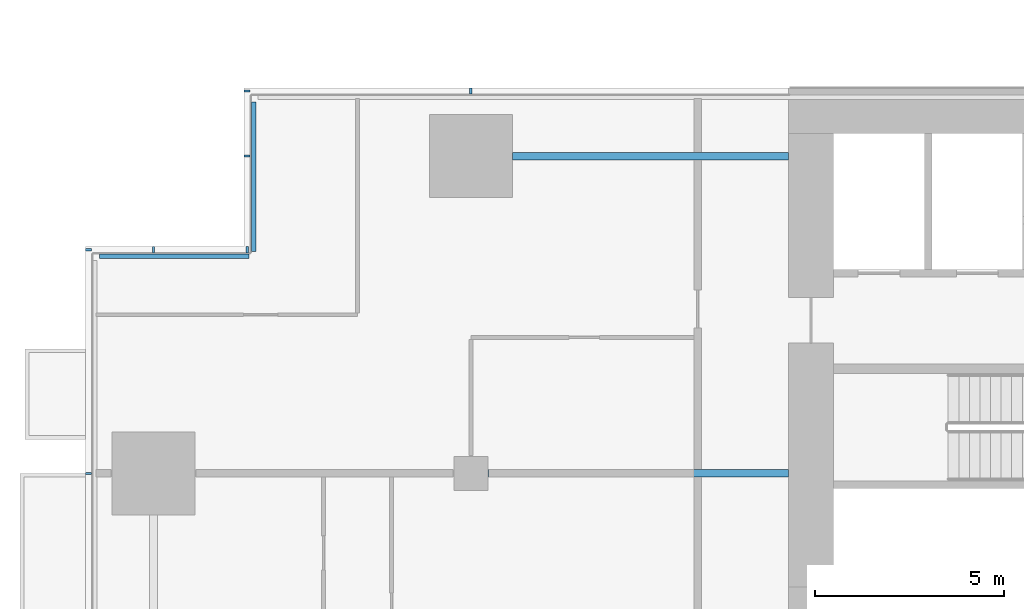
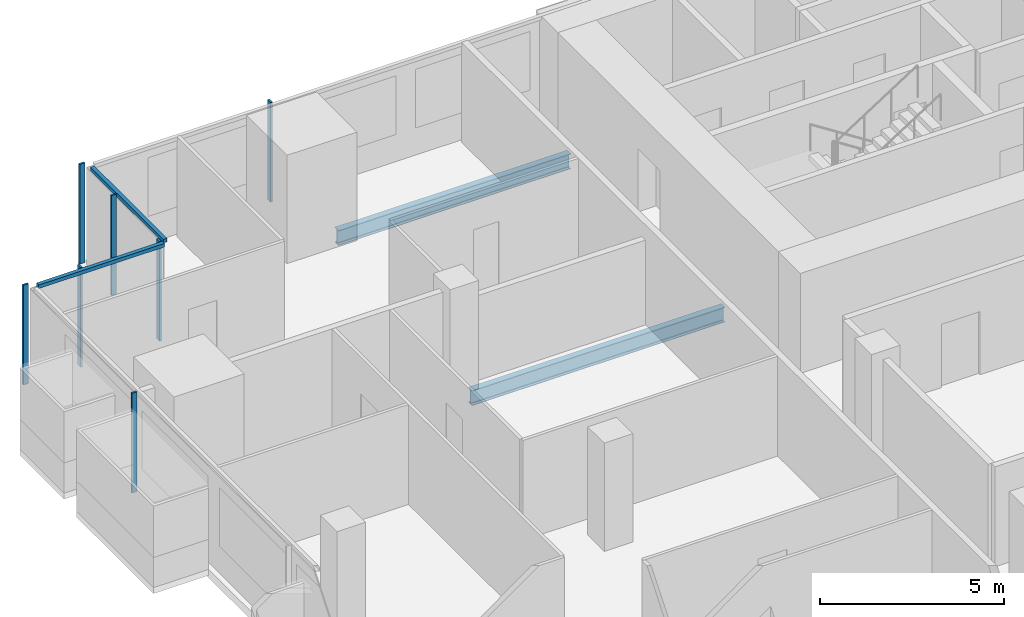
# One storey, part 8 of 27: 9 members, 2 beams, 4 elements without a shape of their own.
"""IFC4 building model written with IfcOpenShell, lengths in metres."""

import ifcopenshell
import ifcopenshell.guid

model = None  # the IFC model being written
_history = None  # IfcOwnerHistory: only IFC2X3 demands one
_inside = {}  # id of a spatial element -> (the spatial element, [elements in it])
_under = {}  # id of a project, library or spatial element -> (it, [spatial elements below it])
_declared = {}  # id of a project -> (the project, [libraries it declares])
_typed = {}  # id of a type object -> (the type object, [elements of that type])
_made_of = {}  # id of a material, layer set ... -> (it, [elements and type objects made of it])


def new_model(schema):
    """Start an empty IFC model of exactly this schema.

    Asked for "IFC4X3", IfcOpenShell would pick the latest addendum, in which some entities
    have other attributes; the version numbers below select the first issue.
    IFC2X3 requires an IfcOwnerHistory on every rooted entity: one is made here for all.
    """
    global model, _history
    if schema == "IFC4X3":
        model = ifcopenshell.file(schema_version=(4, 3, 0, 0))
    else:
        model = ifcopenshell.file(schema=schema)
    _inside.clear()
    _under.clear()
    _declared.clear()
    _typed.clear()
    _made_of.clear()
    _history = None
    if model.schema == "IFC2X3":
        org = make("IfcOrganization", Name="unknown")
        user = make(
            "IfcPersonAndOrganization",
            ThePerson=make("IfcPerson", FamilyName="unknown"),
            TheOrganization=org,
        )
        app = make(
            "IfcApplication",
            ApplicationDeveloper=org,
            Version="unknown",
            ApplicationFullName="unknown",
            ApplicationIdentifier="unknown",
        )
        _history = make(
            "IfcOwnerHistory",
            OwningUser=user,
            OwningApplication=app,
            ChangeAction="ADDED",
            CreationDate=0,
        )
    return model


def make(cls, **values):
    """One entity of the class cls with the attributes given. An attribute that is None is left unset."""
    return model.create_entity(
        cls, **{name: value for name, value in values.items() if value is not None}
    )


def rooted(cls, **values):
    """An entity with a GlobalId (a new one), such as an element, a storey or a relation."""
    return make(cls, GlobalId=ifcopenshell.guid.new(), OwnerHistory=_history, **values)


def si_unit(unit_type, name, prefix=None):
    """IfcSIUnit, for example si_unit("LENGTHUNIT", "METRE", prefix="MILLI")."""
    return make("IfcSIUnit", UnitType=unit_type, Prefix=prefix, Name=name)


def assignment(units):
    """IfcUnitAssignment: the units of a project."""
    return None if units is None else make("IfcUnitAssignment", Units=units)


def point(xyz):
    """IfcCartesianPoint."""
    return None if xyz is None else make("IfcCartesianPoint", Coordinates=xyz)


def direction(xyz):
    """IfcDirection."""
    return None if xyz is None else make("IfcDirection", DirectionRatios=xyz)


def frame(location, z_axis=None, x_axis=None):
    """IfcAxis2Placement3D, a coordinate frame: its origin and axes. An axis left out is left unset."""
    return make(
        "IfcAxis2Placement3D",
        Location=point(location),
        Axis=direction(z_axis),
        RefDirection=direction(x_axis),
    )


def frame_2d(location, x_axis=None):
    """IfcAxis2Placement2D, a coordinate frame in the plane: its origin and x axis."""
    return make(
        "IfcAxis2Placement2D", Location=point(location), RefDirection=direction(x_axis)
    )


def origin():
    """The frame at (0, 0, 0) with its axes left unset."""
    return frame((0.0, 0.0, 0.0))


def origin_2d():
    """The frame at (0, 0) in the plane with its x axis left unset."""
    return frame_2d((0.0, 0.0))


def place(relative_to, where):
    """IfcLocalPlacement: puts the frame where relative to a parent placement (None: the world)."""
    return make(
        "IfcLocalPlacement", PlacementRelTo=relative_to, RelativePlacement=where
    )


def context(
    kind, dimensions, precision=None, world=None, true_north=None, identifier=None
):
    """IfcGeometricRepresentationContext, for example the 3D "Model" context."""
    return make(
        "IfcGeometricRepresentationContext",
        ContextIdentifier=identifier,
        ContextType=kind,
        CoordinateSpaceDimension=dimensions,
        Precision=precision,
        WorldCoordinateSystem=world,
        TrueNorth=true_north,
    )


def subcontext(parent, identifier, kind, view, scale=None):
    """IfcGeometricRepresentationSubContext, for example "Body" below "Model"."""
    return make(
        "IfcGeometricRepresentationSubContext",
        ContextIdentifier=identifier,
        ContextType=kind,
        ParentContext=parent,
        TargetScale=scale,
        TargetView=view,
    )


def project(units=None, contexts=None):
    """IfcProject with its units and contexts."""
    return rooted(
        "IfcProject",
        Name="project",
        RepresentationContexts=contexts,
        UnitsInContext=assignment(units),
    )


def spatial(cls, under=None, at=None, **own):
    """A site, building, storey or space (cls), placed at a placement, below another one or the project."""
    s = rooted(cls, ObjectPlacement=at, **own)
    if under is not None:
        _under.setdefault(under.id(), (under, []))[1].append(s)
    return s


def profile(cls, at=None, kind="AREA", **sizes):
    """A parametric profile (cls). Its sizes go by their IFC names, for example OverallWidth=200.0."""
    return make(cls, ProfileType=kind, Position=at, **sizes)


def rectangle(**sizes):
    """IfcRectangleProfileDef."""
    return profile("IfcRectangleProfileDef", **sizes)


def i_section(**sizes):
    """IfcIShapeProfileDef."""
    return profile("IfcIShapeProfileDef", **sizes)


def extrude(swept, where, along, depth):
    """IfcExtrudedAreaSolid: the profile swept, set in the frame where, extruded along a direction by depth."""
    return make(
        "IfcExtrudedAreaSolid",
        SweptArea=swept,
        Position=where,
        ExtrudedDirection=direction(along),
        Depth=depth,
    )


def shape(context_of_items, identifier, shape_type, items):
    """IfcShapeRepresentation: the items that make up one representation, for example the "Body"."""
    return make(
        "IfcShapeRepresentation",
        ContextOfItems=context_of_items,
        RepresentationIdentifier=identifier,
        RepresentationType=shape_type,
        Items=items,
    )


def material(Name=None, Category=None):
    """IfcMaterial."""
    return make("IfcMaterial", Name=Name, Category=Category)


def material_profile(
    of_material, cross_section, Name=None, Category=None, Priority=None
):
    """IfcMaterialProfile: a cross section and its material."""
    return make(
        "IfcMaterialProfile",
        Name=Name,
        Material=of_material,
        Profile=cross_section,
        Priority=Priority,
        Category=Category,
    )


def profile_set(profiles, Name=None, composite=None):
    """IfcMaterialProfileSet."""
    return make(
        "IfcMaterialProfileSet",
        Name=Name,
        MaterialProfiles=profiles,
        CompositeProfile=composite,
    )


def made_of(thing, what):
    """Note that an element or type object is made of a material, layer set ...; save() writes the relation."""
    if what is not None:
        _made_of.setdefault(what.id(), (what, []))[1].append(thing)
    return thing


def type_object(cls, material=None, **own):
    """A type object (cls), such as IfcWallType, which elements share."""
    return made_of(rooted(cls, **own), material)


def element(
    cls,
    number,
    at=None,
    inside=None,
    cuts=None,
    type_object=None,
    material=None,
    context=None,
    identifier="Body",
    shape_type=None,
    held_by="IfcProductDefinitionShape",
    body=None,
    shapes=None,
    **own,
):
    """One element of the class cls, such as IfcWall. Its Tag is "e" and its number.

    at: its placement. inside: the storey or other place that contains it. cuts: it is an
    opening in that element (IfcRelVoidsElement). A single representation is given by context,
    identifier, shape_type and body (its items); several are given by shapes. held_by: the class
    of the entity that holds the representations. save() writes the other relations.
    """
    e = rooted(cls, Tag="e%d" % number, ObjectPlacement=at, **own)
    if body is not None:
        shapes = [shape(context, identifier, shape_type, body)]
    if shapes is not None:
        e.Representation = make(held_by, Representations=shapes)
    if inside is not None:
        _inside.setdefault(inside.id(), (inside, []))[1].append(e)
    if cuts is not None:
        rooted(
            "IfcRelVoidsElement", RelatingBuildingElement=cuts, RelatedOpeningElement=e
        )
    if type_object is not None:
        _typed.setdefault(type_object.id(), (type_object, []))[1].append(e)
    return made_of(e, material)


def aggregate(whole, parts):
    """IfcRelAggregates: a whole, such as a stair, and the parts it consists of."""
    return rooted("IfcRelAggregates", RelatingObject=whole, RelatedObjects=parts)


def save(model, path):
    """Write the relations noted so far, then the file.

    IfcRelAggregates (storeys below a building ...), IfcRelContainedInSpatialStructure (elements
    in a storey), IfcRelDefinesByType, IfcRelAssociatesMaterial and IfcRelDeclares: one each for
    every whole, place, type object, material and project.
    """
    for whole, parts in _under.values():
        aggregate(whole, parts)
    for where, things in _inside.values():
        rooted(
            "IfcRelContainedInSpatialStructure",
            RelatedElements=things,
            RelatingStructure=where,
        )
    for kind, things in _typed.values():
        rooted("IfcRelDefinesByType", RelatedObjects=things, RelatingType=kind)
    for what, things in _made_of.values():
        rooted("IfcRelAssociatesMaterial", RelatedObjects=things, RelatingMaterial=what)
    for by, libraries in _declared.values():
        rooted("IfcRelDeclares", RelatingContext=by, RelatedDefinitions=libraries)
    model.write(path)


model = new_model("IFC4")

# Units and contexts
model_context = context("Model", 3, precision=1e-05, world=origin(), true_north=direction((0.0, 1.0)))
body_context = subcontext(model_context, "Body", "Model", "MODEL_VIEW")
ifc_project = project(units=[si_unit("LENGTHUNIT", "METRE"), si_unit("AREAUNIT", "SQUARE_METRE"), si_unit("VOLUMEUNIT", "CUBIC_METRE"), si_unit("PLANEANGLEUNIT", "RADIAN"), si_unit("MASSUNIT", "GRAM", prefix="KILO")], contexts=[model_context])

# Site, building, storey
site_placement = place(None, origin())
site = spatial("IfcSite", under=ifc_project, at=site_placement, CompositionType="ELEMENT")
building_placement = place(site_placement, origin())
building = spatial("IfcBuilding", under=site, at=building_placement, Name="Saffron Gate Tower", CompositionType="ELEMENT")
storey_placement = place(building_placement, frame((0.0, 0.0, 40.800048828125)))
storey = spatial("IfcBuildingStorey", under=building, at=storey_placement, Name="L08", CompositionType="ELEMENT", Elevation=40.800048828125)

# Beams
ifc_material_1 = material(Name="Structural steel S355", Category="steel")
ifc_material_profile_1 = material_profile(ifc_material_1, i_section(OverallWidth=0.199951171875, OverallDepth=0.5, WebThickness=0.01025390625, FlangeThickness=0.01611328125, FilletRadius=0.02099609375, at=origin_2d()))
ifc_profile_set_1 = profile_set([ifc_material_profile_1], Name="Structural steel S355")
beam_type = type_object("IfcBeamType", Name="B10 IPE 500", PredefinedType="BEAM", material=ifc_profile_set_1)
beam_1_placement = place(storey_placement, frame((58.64990234375, 65.39990234375, -0.530029296875), z_axis=(1.0, 0.0, 0.0), x_axis=(0.0, 1.0, 0.0)))
element("IfcBeam", 1, at=beam_1_placement, inside=storey, type_object=beam_type, Name="B10 CORE TIE BEAM", PredefinedType="BEAM", context=body_context, shape_type="SweptSolid", body=[
    extrude(i_section(OverallWidth=0.199951171875, OverallDepth=0.5, WebThickness=0.01025390625, FlangeThickness=0.01611328125, FilletRadius=0.02099609375, at=origin_2d()), origin(), (0.0, 0.0, 1.0), 7.9501953125),
])
beam_2_placement = place(storey_placement, frame((59.300048828125, 73.800048828125, -0.530029296875), z_axis=(1.0, 0.0, 0.0), x_axis=(0.0, 1.0, 0.0)))
element("IfcBeam", 2, at=beam_2_placement, inside=storey, type_object=beam_type, Name="B10 CORE TIE BEAM", PredefinedType="BEAM", context=body_context, shape_type="SweptSolid", body=[
    extrude(i_section(OverallWidth=0.199951171875, OverallDepth=0.5, WebThickness=0.01025390625, FlangeThickness=0.01611328125, FilletRadius=0.02099609375, at=origin_2d()), origin(), (0.0, 0.0, 1.0), 7.300048828125),
])

# Curtain wall, members
ifc_material_2 = material(Name="Aluminium, bronze anodised", Category="aluminium")
curtain_wall_type_1 = type_object("IfcCurtainWallType", Name="CWS2 curtain wall side facades", PredefinedType="NOTDEFINED", material=ifc_material_2)
curtain_wall_1_placement = place(storey_placement, origin())
curtain_wall_1 = element("IfcCurtainWall", 3, at=curtain_wall_1_placement, inside=storey, type_object=curtain_wall_type_1, Name="CWS2 run 10", PredefinedType="NOTDEFINED")
ifc_material_profile_2 = material_profile(ifc_material_2, rectangle(XDim=0.159912109375, YDim=0.06005859375, at=origin_2d()))
ifc_profile_set_2 = profile_set([ifc_material_profile_2], Name="Aluminium, bronze anodised")
member_type_1 = type_object("IfcMemberType", Name="CWS2 mullion 60x160", PredefinedType="MULLION", material=ifc_profile_set_2)
member_1_placement = place(storey_placement, frame((48.080078125, 71.320068359375, 0.0), z_axis=(0.0, 0.0, 1.0), x_axis=(1.0, 0.0, 0.0)))
member_1 = element("IfcMember", 4, at=member_1_placement, type_object=member_type_1, Name="CWS2 mullion 1", PredefinedType="MULLION", context=body_context, shape_type="SweptSolid", body=[
    extrude(rectangle(XDim=0.159912109375, YDim=0.06005859375, at=origin_2d()), origin(), (0.0, 0.0, 1.0), 3.320068359375),
])
member_2_placement = place(storey_placement, frame((48.080078125, 65.39990234375, 0.0), z_axis=(0.0, 0.0, 1.0), x_axis=(1.0, 0.0, 0.0)))
member_2 = element("IfcMember", 5, at=member_2_placement, type_object=member_type_1, Name="CWS2 mullion 2", PredefinedType="MULLION", context=body_context, shape_type="SweptSolid", body=[
    extrude(rectangle(XDim=0.159912109375, YDim=0.06005859375, at=origin_2d()), origin(), (0.0, 0.0, 1.0), 3.320068359375),
])
aggregate(curtain_wall_1, [member_1, member_2])

# Curtain wall, member
curtain_wall_type_2 = type_object("IfcCurtainWallType", Name="CWS3 curtain wall rear facade", PredefinedType="NOTDEFINED", material=ifc_material_2)
curtain_wall_2_placement = place(storey_placement, origin())
curtain_wall_2 = element("IfcCurtainWall", 6, at=curtain_wall_2_placement, inside=storey, type_object=curtain_wall_type_2, Name="CWS3 run 7", PredefinedType="NOTDEFINED")
ifc_material_profile_3 = material_profile(ifc_material_2, rectangle(XDim=0.159912109375, YDim=0.070068359375, at=origin_2d()))
ifc_profile_set_3 = profile_set([ifc_material_profile_3], Name="Aluminium, bronze anodised")
member_type_2 = type_object("IfcMemberType", Name="CWS3 mullion 70x160", PredefinedType="MULLION", material=ifc_profile_set_3)
member_3_placement = place(storey_placement, frame((58.199951171875, 75.52001953125, 0.0), z_axis=(0.0, 0.0, 1.0), x_axis=(0.0, -1.0, 0.0)))
member_3 = element("IfcMember", 7, at=member_3_placement, type_object=member_type_2, Name="CWS3 mullion 9", PredefinedType="MULLION", context=body_context, shape_type="SweptSolid", body=[
    extrude(rectangle(XDim=0.159912109375, YDim=0.070068359375, at=origin_2d()), origin(), (0.0, 0.0, 1.0), 3.320068359375),
])
aggregate(curtain_wall_2, [member_3])

curtain_wall_type_3 = type_object("IfcCurtainWallType", Name="CWS4 curtain wall corner returns", PredefinedType="NOTDEFINED", material=ifc_material_2)
curtain_wall_3_placement = place(storey_placement, origin())
curtain_wall_3 = element("IfcCurtainWall", 8, at=curtain_wall_3_placement, inside=storey, type_object=curtain_wall_type_3, Name="CWS4 run 8", PredefinedType="NOTDEFINED")
ifc_material_profile_4 = material_profile(ifc_material_2, rectangle(XDim=0.1201171875, YDim=0.1201171875, at=origin_2d()))
ifc_profile_set_4 = profile_set([ifc_material_profile_4], Name="Aluminium, bronze anodised")
member_type_3 = type_object("IfcMemberType", Name="CWS4 head transom", PredefinedType="USERDEFINED", material=ifc_profile_set_4)
member_4_placement = place(storey_placement, frame((52.447998046875, 75.23193359375, 3.260009765625), z_axis=(0.0, -1.0, 0.0), x_axis=(1.0, 0.0, 0.0)))
member_4 = element("IfcMember", 9, at=member_4_placement, type_object=member_type_3, Name="CWS4 head transom", ObjectType="TRANSOM", PredefinedType="USERDEFINED", context=body_context, shape_type="SweptSolid", body=[
    extrude(rectangle(XDim=0.1201171875, YDim=0.1201171875, at=origin_2d()), origin(), (0.0, 0.0, 1.0), 3.9599609375),
])

curtain_wall_4_placement = place(storey_placement, origin())
curtain_wall_4 = element("IfcCurtainWall", 10, at=curtain_wall_4_placement, inside=storey, type_object=curtain_wall_type_3, Name="CWS4 run 9", PredefinedType="NOTDEFINED")
member_5_placement = place(storey_placement, frame((52.327880859375, 71.152099609375, 3.260009765625), z_axis=(-1.0, 0.0, 0.0), x_axis=(0.0, -1.0, 0.0)))
member_5 = element("IfcMember", 11, at=member_5_placement, type_object=member_type_3, Name="CWS4 head transom", ObjectType="TRANSOM", PredefinedType="USERDEFINED", context=body_context, shape_type="SweptSolid", body=[
    extrude(rectangle(XDim=0.1201171875, YDim=0.1201171875, at=origin_2d()), origin(), (0.0, 0.0, 1.0), 3.9599609375),
])

# Member
ifc_material_profile_5 = material_profile(ifc_material_2, rectangle(XDim=0.159912109375, YDim=0.06005859375, at=origin_2d()))
ifc_profile_set_5 = profile_set([ifc_material_profile_5], Name="Aluminium, bronze anodised")
member_type_4 = type_object("IfcMemberType", Name="CWS4 mullion 60x160", PredefinedType="MULLION", material=ifc_profile_set_5)
member_6_placement = place(storey_placement, frame((52.280029296875, 75.52001953125, 0.0), z_axis=(0.0, 0.0, 1.0), x_axis=(1.0, 0.0, 0.0)))
member_6 = element("IfcMember", 12, at=member_6_placement, type_object=member_type_4, Name="CWS4 mullion 1", PredefinedType="MULLION", context=body_context, shape_type="SweptSolid", body=[
    extrude(rectangle(XDim=0.159912109375, YDim=0.06005859375, at=origin_2d()), origin(), (0.0, 0.0, 1.0), 3.320068359375),
])

member_7_placement = place(storey_placement, frame((52.280029296875, 73.800048828125, 0.0), z_axis=(0.0, 0.0, 1.0), x_axis=(1.0, 0.0, 0.0)))
member_7 = element("IfcMember", 13, at=member_7_placement, type_object=member_type_4, Name="CWS4 mullion 2", PredefinedType="MULLION", context=body_context, shape_type="SweptSolid", body=[
    extrude(rectangle(XDim=0.159912109375, YDim=0.06005859375, at=origin_2d()), origin(), (0.0, 0.0, 1.0), 3.320068359375),
])

aggregate(curtain_wall_3, [member_6, member_7, member_4])

member_8_placement = place(storey_placement, frame((52.280029296875, 71.320068359375, 0.0), z_axis=(0.0, 0.0, 1.0), x_axis=(0.0, -1.0, 0.0)))
member_8 = element("IfcMember", 14, at=member_8_placement, type_object=member_type_4, Name="CWS4 mullion 1", PredefinedType="MULLION", context=body_context, shape_type="SweptSolid", body=[
    extrude(rectangle(XDim=0.159912109375, YDim=0.06005859375, at=origin_2d()), origin(), (0.0, 0.0, 1.0), 3.320068359375),
])

member_9_placement = place(storey_placement, frame((49.800048828125, 71.320068359375, 0.0), z_axis=(0.0, 0.0, 1.0), x_axis=(0.0, -1.0, 0.0)))
member_9 = element("IfcMember", 15, at=member_9_placement, type_object=member_type_4, Name="CWS4 mullion 2", PredefinedType="MULLION", context=body_context, shape_type="SweptSolid", body=[
    extrude(rectangle(XDim=0.159912109375, YDim=0.06005859375, at=origin_2d()), origin(), (0.0, 0.0, 1.0), 3.320068359375),
])

aggregate(curtain_wall_4, [member_8, member_9, member_5])

save(model, "model.ifc")
